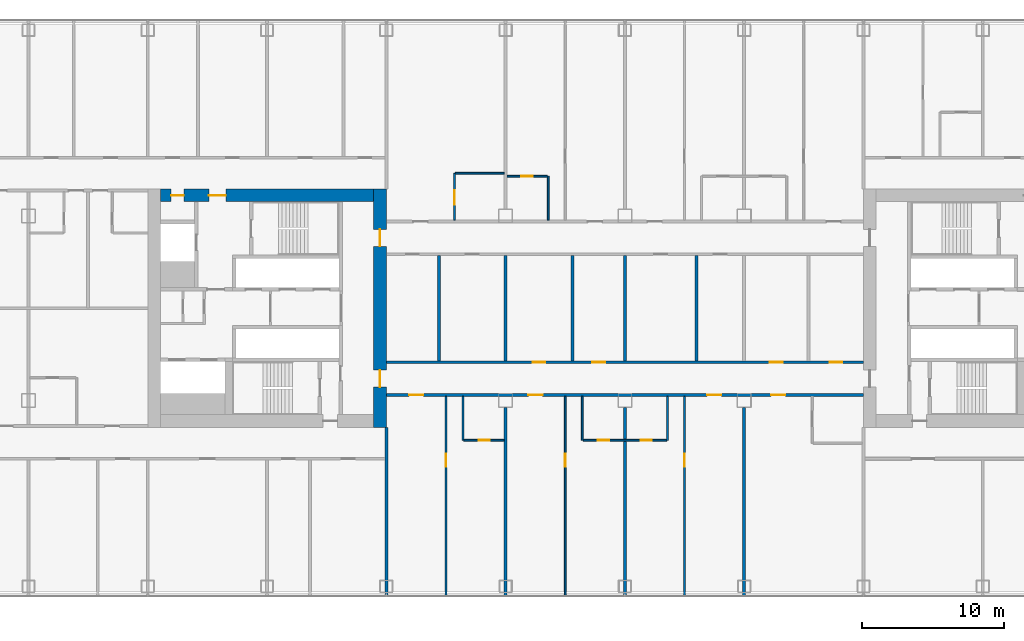
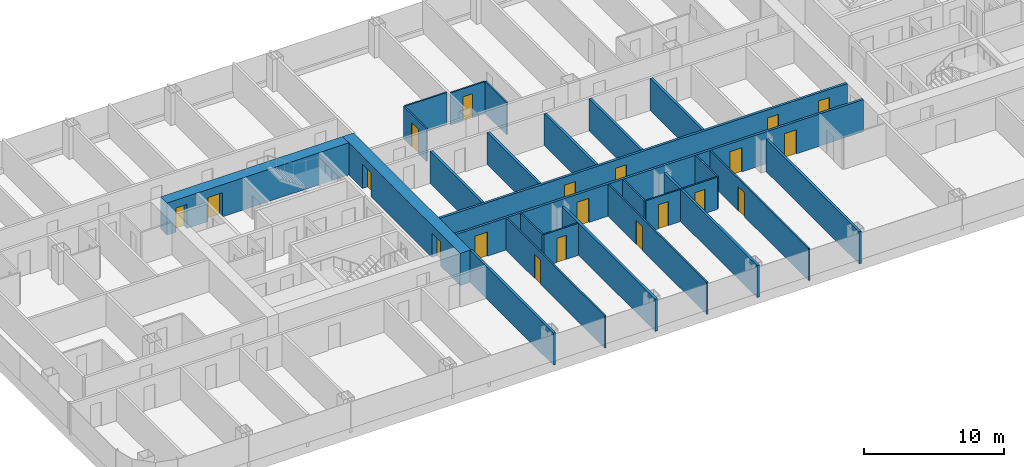
# One storey, part 15 of 28: 25 walls, 20 doors, 20 openings.
"""IFC4 building model written with IfcOpenShell, lengths in metres."""

from ifc_helpers import new_model, si_unit, direction, frame, frame_2d, origin, place, context, subcontext, project, spatial, rectangle, extrude, material, layer, layer_set, type_object, element, fill, save


model = new_model("IFC4")

# Units and contexts
model_context = context("Model", 3, precision=1e-05, world=origin(), true_north=direction((0.0, 1.0)))
body_context = subcontext(model_context, "Body", "Model", "MODEL_VIEW")
ifc_project = project(units=[si_unit("LENGTHUNIT", "METRE"), si_unit("AREAUNIT", "SQUARE_METRE"), si_unit("VOLUMEUNIT", "CUBIC_METRE"), si_unit("PLANEANGLEUNIT", "RADIAN"), si_unit("MASSUNIT", "GRAM", prefix="KILO")], contexts=[model_context])

# Site, building, storey
site_placement = place(None, origin())
site = spatial("IfcSite", under=ifc_project, at=site_placement, CompositionType="ELEMENT")
building_placement = place(site_placement, origin())
building = spatial("IfcBuilding", under=site, at=building_placement, Name="Hakoniwa Tower and Hamabe Station Hall", CompositionType="ELEMENT")
storey_placement = place(building_placement, frame((0.0, 0.0, 32.60009765625)))
storey = spatial("IfcBuildingStorey", under=building, at=storey_placement, Name="L08", CompositionType="ELEMENT", Elevation=32.60009765625)

# Wall, opening, door
ifc_material_1 = material(Name="Gypsum board partition", Category="gypsum")
ifc_layer_1 = layer(ifc_material_1, 0.125)
ifc_layer_set_1 = layer_set([ifc_layer_1], Name="Bathroom Partition 125")
wall_type_1 = type_object("IfcWallType", Name="Bathroom Partition 125", PredefinedType="PARTITIONING", material=ifc_layer_set_1)
wall_1_placement = place(storey_placement, frame((-11.33740234375, -9.300048828125, 0.0), z_axis=(0.0, 0.0, 1.0), x_axis=(1.0, 0.0, 0.0)))
wall_1 = element("IfcWall", 1, at=wall_1_placement, inside=storey, type_object=wall_type_1, Name="GW-L08-004", PredefinedType="PARTITIONING", context=body_context, shape_type="SweptSolid", body=[
    extrude(rectangle(XDim=2.83740234375, YDim=0.125, at=frame_2d((1.418701171875, 0.0))), origin(), (0.0, 0.0, 1.0), 2.7998046875),
])
opening_1_placement = place(wall_1_placement, frame((1.03759765625, 0.0, 0.0)))
opening_1 = element("IfcOpeningElement", 2, at=opening_1_placement, cuts=wall_1, Name="Opening GD-G1E0-12", PredefinedType="OPENING", context=body_context, shape_type="SweptSolid", body=[
    extrude(rectangle(XDim=0.800048828125, YDim=2.10009765625, at=frame_2d((0.39990234375, 1.050048828125))), frame((0.0, 0.072509765625, 0.0), z_axis=(0.0, -1.0, 0.0), x_axis=(1.0, 0.0, 0.0)), (0.0, 0.0, 1.0), 0.14501953125),
])
ifc_material_2 = material(Name="Timber door leaf", Category="wood")
door_type_1 = type_object("IfcDoorType", Name="Bathroom Door 800", OperationType="SINGLE_SWING_LEFT", PredefinedType="DOOR", material=ifc_material_2)
door_1_placement = place(opening_1_placement, origin())
door_1 = element("IfcDoor", 3, at=door_1_placement, inside=storey, type_object=door_type_1, Name="Door GD-G1E0-12", OperationType="SINGLE_SWING_RIGHT", OverallHeight=2.10009765625, OverallWidth=0.800048828125, PredefinedType="DOOR", context=body_context, shape_type="SweptSolid", body=[
    extrude(rectangle(XDim=0.800048828125, YDim=2.10009765625, at=frame_2d((0.39990234375, 1.050048828125))), frame((0.0, 0.02490234375, 0.0), z_axis=(0.0, -1.0, 0.0), x_axis=(1.0, 0.0, 0.0)), (0.0, 0.0, 1.0), 0.050048828125),
])
fill(opening_1, door_1)

# Wall, openings, doors
wall_2_placement = place(storey_placement, frame((-2.9375, -9.300048828125, 0.0), z_axis=(0.0, 0.0, 1.0), x_axis=(1.0, 0.0, 0.0)))
wall_2 = element("IfcWall", 4, at=wall_2_placement, inside=storey, type_object=wall_type_1, Name="GW-L08-005", PredefinedType="PARTITIONING", context=body_context, shape_type="SweptSolid", body=[
    extrude(rectangle(XDim=5.875, YDim=0.125, at=frame_2d((2.9375, 0.0))), origin(), (0.0, 0.0, 1.0), 2.7998046875),
])
opening_2_placement = place(wall_2_placement, frame((1.03759765625, 0.0, 0.0)))
opening_2 = element("IfcOpeningElement", 5, at=opening_2_placement, cuts=wall_2, Name="Opening GD-G1E0-13", PredefinedType="OPENING", context=body_context, shape_type="SweptSolid", body=[
    extrude(rectangle(XDim=0.800048828125, YDim=2.10009765625, at=frame_2d((0.39990234375, 1.050048828125))), frame((0.0, 0.072509765625, 0.0), z_axis=(0.0, -1.0, 0.0), x_axis=(1.0, 0.0, 0.0)), (0.0, 0.0, 1.0), 0.14501953125),
])
opening_3_placement = place(wall_2_placement, frame((4.03759765625, 0.0, 0.0)))
opening_3 = element("IfcOpeningElement", 6, at=opening_3_placement, cuts=wall_2, Name="Opening GD-G1E0-14", PredefinedType="OPENING", context=body_context, shape_type="SweptSolid", body=[
    extrude(rectangle(XDim=0.800048828125, YDim=2.10009765625, at=frame_2d((0.39990234375, 1.050048828125))), frame((0.0, 0.072509765625, 0.0), z_axis=(0.0, -1.0, 0.0), x_axis=(1.0, 0.0, 0.0)), (0.0, 0.0, 1.0), 0.14501953125),
])
door_2_placement = place(opening_2_placement, origin())
door_2 = element("IfcDoor", 7, at=door_2_placement, inside=storey, type_object=door_type_1, Name="Door GD-G1E0-13", OperationType="SINGLE_SWING_LEFT", OverallHeight=2.10009765625, OverallWidth=0.800048828125, PredefinedType="DOOR", context=body_context, shape_type="SweptSolid", body=[
    extrude(rectangle(XDim=0.800048828125, YDim=2.10009765625, at=frame_2d((0.39990234375, 1.050048828125))), frame((0.0, 0.02490234375, 0.0), z_axis=(0.0, -1.0, 0.0), x_axis=(1.0, 0.0, 0.0)), (0.0, 0.0, 1.0), 0.050048828125),
])
fill(opening_2, door_2)
door_3_placement = place(opening_3_placement, origin())
door_3 = element("IfcDoor", 8, at=door_3_placement, inside=storey, type_object=door_type_1, Name="Door GD-G1E0-14", OperationType="SINGLE_SWING_RIGHT", OverallHeight=2.10009765625, OverallWidth=0.800048828125, PredefinedType="DOOR", context=body_context, shape_type="SweptSolid", body=[
    extrude(rectangle(XDim=0.800048828125, YDim=2.10009765625, at=frame_2d((0.39990234375, 1.050048828125))), frame((0.0, 0.02490234375, 0.0), z_axis=(0.0, -1.0, 0.0), x_axis=(1.0, 0.0, 0.0)), (0.0, 0.0, 1.0), 0.050048828125),
])
fill(opening_3, door_3)

# Wall, opening, door
wall_3_placement = place(storey_placement, frame((-8.300048828125, 9.300048828125, 0.0), z_axis=(0.0, 0.0, 1.0), x_axis=(1.0, 0.0, 0.0)))
wall_3 = element("IfcWall", 9, at=wall_3_placement, inside=storey, type_object=wall_type_1, Name="GW-L08-027", PredefinedType="PARTITIONING", context=body_context, shape_type="SweptSolid", body=[
    extrude(rectangle(XDim=2.837646484375, YDim=0.125, at=frame_2d((1.4189453125, 0.0))), origin(), (0.0, 0.0, 1.0), 2.7998046875),
])
opening_4_placement = place(wall_3_placement, frame((1.0, 0.0, 0.0)))
opening_4 = element("IfcOpeningElement", 10, at=opening_4_placement, cuts=wall_3, Name="Opening GD-G1E0-46", PredefinedType="OPENING", context=body_context, shape_type="SweptSolid", body=[
    extrude(rectangle(XDim=0.800048828125, YDim=2.10009765625, at=frame_2d((0.39990234375, 1.050048828125))), frame((0.0, 0.072509765625, 0.0), z_axis=(0.0, -1.0, 0.0), x_axis=(1.0, 0.0, 0.0)), (0.0, 0.0, 1.0), 0.14501953125),
])
door_4_placement = place(opening_4_placement, origin())
door_4 = element("IfcDoor", 11, at=door_4_placement, inside=storey, type_object=door_type_1, Name="Door GD-G1E0-46", OperationType="SINGLE_SWING_RIGHT", OverallHeight=2.10009765625, OverallWidth=0.800048828125, PredefinedType="DOOR", context=body_context, shape_type="SweptSolid", body=[
    extrude(rectangle(XDim=0.800048828125, YDim=2.10009765625, at=frame_2d((0.39990234375, 1.050048828125))), frame((0.0, 0.02490234375, 0.0), z_axis=(0.0, -1.0, 0.0), x_axis=(1.0, 0.0, 0.0)), (0.0, 0.0, 1.0), 0.050048828125),
])
fill(opening_4, door_4)

# Wall
wall_4_placement = place(storey_placement, frame((-11.9375, 9.5, 0.0), z_axis=(0.0, 0.0, 1.0), x_axis=(1.0, 0.0, 0.0)))
element("IfcWall", 12, at=wall_4_placement, inside=storey, type_object=wall_type_1, Name="GW-L08-029", PredefinedType="PARTITIONING", context=body_context, shape_type="SweptSolid", body=[
    extrude(rectangle(XDim=3.4375, YDim=0.125, at=frame_2d((1.71875, 0.0))), origin(), (0.0, 0.0, 1.0), 2.7998046875),
])

# Wall, opening, door
wall_5_placement = place(storey_placement, frame((-12.0, 6.199951171875, 0.0), z_axis=(0.0, 0.0, 1.0), x_axis=(0.0, 1.0, 0.0)))
wall_5 = element("IfcWall", 13, at=wall_5_placement, inside=storey, type_object=wall_type_1, Name="GW-L08-060", PredefinedType="PARTITIONING", context=body_context, shape_type="SweptSolid", body=[
    extrude(rectangle(XDim=3.300048828125, YDim=0.125, at=frame_2d((1.64990234375, 0.0))), origin(), (0.0, 0.0, 1.0), 2.7998046875),
])
opening_5_placement = place(wall_5_placement, frame((1.10009765625, 0.0, 0.0)))
opening_5 = element("IfcOpeningElement", 14, at=opening_5_placement, cuts=wall_5, Name="Opening GD-G1E0-68", PredefinedType="OPENING", context=body_context, shape_type="SweptSolid", body=[
    extrude(rectangle(XDim=1.0, YDim=2.10009765625, at=frame_2d((0.5, 1.050048828125))), frame((0.0, 0.072509765625, 0.0), z_axis=(0.0, -1.0, 0.0), x_axis=(1.0, 0.0, 0.0)), (0.0, 0.0, 1.0), 0.14501953125),
])
ifc_material_3 = material(Name="Timber door leaf", Category="wood")
door_type_2 = type_object("IfcDoorType", Name="Accessible Bathroom Door 1000", OperationType="SINGLE_SWING_LEFT", PredefinedType="DOOR", material=ifc_material_3)
door_5_placement = place(opening_5_placement, origin())
door_5 = element("IfcDoor", 15, at=door_5_placement, inside=storey, type_object=door_type_2, Name="Door GD-G1E0-68", OperationType="SINGLE_SWING_RIGHT", OverallHeight=2.10009765625, OverallWidth=1.0, PredefinedType="DOOR", context=body_context, shape_type="SweptSolid", body=[
    extrude(rectangle(XDim=1.0, YDim=2.10009765625, at=frame_2d((0.5, 1.050048828125))), frame((0.0, 0.02490234375, 0.0), z_axis=(0.0, -1.0, 0.0), x_axis=(1.0, 0.0, 0.0)), (0.0, 0.0, 1.0), 0.050048828125),
])
fill(opening_5, door_5)

# Walls
for number, where, z_axis, x_axis, name in (
    (16, (-11.39990234375, -9.300048828125, 0.0), (0.0, 0.0, 1.0), (0.0, 1.0, 0.0), "GW-L08-061"),
    (17, (-5.39990234375, 6.199951171875, 0.0), (0.0, 0.0, 1.0), (0.0, 1.0, 0.0), "GW-L08-065"),
    (18, (-3.0, -9.300048828125, 0.0), (0.0, 0.0, 1.0), (0.0, 1.0, 0.0), "GW-L08-069"),
    (19, (3.0, -9.300048828125, 0.0), (0.0, 0.0, 1.0), (0.0, 1.0, 0.0), "GW-L08-073"),
):
    element("IfcWall", number, at=place(storey_placement, frame(where, z_axis=z_axis, x_axis=x_axis)), inside=storey, type_object=wall_type_1, Name=name, PredefinedType="PARTITIONING", context=body_context, shape_type="SweptSolid", body=[
        extrude(rectangle(XDim=3.10009765625, YDim=0.125, at=frame_2d((1.550048828125, 0.0))), origin(), (0.0, 0.0, 1.0), 2.7998046875),
    ])

# Wall, openings, doors
ifc_material_4 = material(Name="Concrete C80", Category="concrete")
ifc_layer_2 = layer(ifc_material_4, 0.89990234375)
ifc_layer_set_2 = layer_set([ifc_layer_2], Name="CORE WALL 900 C80")
wall_type_2 = type_object("IfcWallType", Name="CORE WALL 900 C80", PredefinedType="SHEAR", material=ifc_layer_set_2)
wall_6_placement = place(storey_placement, frame((-17.25, -8.39990234375, 0.0), z_axis=(0.0, 0.0, 1.0), x_axis=(0.0, 1.0, 0.0)))
wall_6 = element("IfcWall", 20, at=wall_6_placement, inside=storey, type_object=wall_type_2, Name="Core wall INNER west", PredefinedType="SHEAR", context=body_context, shape_type="SweptSolid", body=[
    extrude(rectangle(XDim=16.7998046875, YDim=0.89990234375, at=frame_2d((8.39990234375, 0.0))), origin(), (0.0, 0.0, 1.0), 2.7998046875),
])
opening_6_placement = place(wall_6_placement, frame((12.75, 0.0, 0.0)))
opening_6 = element("IfcOpeningElement", 21, at=opening_6_placement, cuts=wall_6, Name="Opening CD-W-IN1-12", PredefinedType="OPENING", context=body_context, shape_type="SweptSolid", body=[
    extrude(rectangle(XDim=1.199951171875, YDim=2.10009765625, at=frame_2d((0.60009765625, 1.050048828125))), frame((0.0, 0.4599609375, 0.0), z_axis=(0.0, -1.0, 0.0), x_axis=(1.0, 0.0, 0.0)), (0.0, 0.0, 1.0), 0.919921875),
])
opening_7_placement = place(wall_6_placement, frame((2.85009765625, 0.0, 0.0)))
opening_7 = element("IfcOpeningElement", 22, at=opening_7_placement, cuts=wall_6, Name="Opening CD-W-IN2-12", PredefinedType="OPENING", context=body_context, shape_type="SweptSolid", body=[
    extrude(rectangle(XDim=1.199951171875, YDim=2.10009765625, at=frame_2d((0.60009765625, 1.050048828125))), frame((0.0, 0.4599609375, 0.0), z_axis=(0.0, -1.0, 0.0), x_axis=(1.0, 0.0, 0.0)), (0.0, 0.0, 1.0), 0.919921875),
])
ifc_material_5 = material(Name="Steel fire door", Category="steel")
door_type_3 = type_object("IfcDoorType", Name="CORE DOOR 1200 FD60", OperationType="DOUBLE_DOOR_SINGLE_SWING", PredefinedType="DOOR", material=ifc_material_5)
door_6_placement = place(opening_6_placement, origin())
door_6 = element("IfcDoor", 23, at=door_6_placement, inside=storey, type_object=door_type_3, Name="Lift lobby door", OperationType="DOUBLE_DOOR_SINGLE_SWING", OverallHeight=2.10009765625, OverallWidth=1.199951171875, PredefinedType="DOOR", context=body_context, shape_type="SweptSolid", body=[
    extrude(rectangle(XDim=1.199951171875, YDim=2.10009765625, at=frame_2d((0.60009765625, 1.050048828125))), frame((0.0, 0.02490234375, 0.0), z_axis=(0.0, -1.0, 0.0), x_axis=(1.0, 0.0, 0.0)), (0.0, 0.0, 1.0), 0.050048828125),
])
fill(opening_6, door_6)
door_7_placement = place(opening_7_placement, origin())
door_7 = element("IfcDoor", 24, at=door_7_placement, inside=storey, type_object=door_type_3, Name="Lift lobby door", OperationType="DOUBLE_DOOR_SINGLE_SWING", OverallHeight=2.10009765625, OverallWidth=1.199951171875, PredefinedType="DOOR", context=body_context, shape_type="SweptSolid", body=[
    extrude(rectangle(XDim=1.199951171875, YDim=2.10009765625, at=frame_2d((0.60009765625, 1.050048828125))), frame((0.0, 0.02490234375, 0.0), z_axis=(0.0, -1.0, 0.0), x_axis=(1.0, 0.0, 0.0)), (0.0, 0.0, 1.0), 0.050048828125),
])
fill(opening_7, door_7)

wall_7_placement = place(storey_placement, frame((-32.699951171875, 7.949951171875, 0.0), z_axis=(0.0, 0.0, 1.0), x_axis=(1.0, 0.0, 0.0)))
wall_7 = element("IfcWall", 25, at=wall_7_placement, inside=storey, type_object=wall_type_2, Name="Core wall NORTH west", PredefinedType="SHEAR", context=body_context, shape_type="SweptSolid", body=[
    extrude(rectangle(XDim=15.0, YDim=0.89990234375, at=frame_2d((7.5, 0.0))), origin(), (0.0, 0.0, 1.0), 2.7998046875),
])
opening_8_placement = place(wall_7_placement, frame((3.39990234375, 0.0, 0.0)))
opening_8 = element("IfcOpeningElement", 26, at=opening_8_placement, cuts=wall_7, Name="Opening CD-W-FN1-12", PredefinedType="OPENING", context=body_context, shape_type="SweptSolid", body=[
    extrude(rectangle(XDim=1.199951171875, YDim=2.10009765625, at=frame_2d((0.60009765625, 1.050048828125))), frame((0.0, 0.4599609375, 0.0), z_axis=(0.0, -1.0, 0.0), x_axis=(1.0, 0.0, 0.0)), (0.0, 0.0, 1.0), 0.919921875),
])
opening_9_placement = place(wall_7_placement, frame((0.75, 0.0, 0.0)))
opening_9 = element("IfcOpeningElement", 27, at=opening_9_placement, cuts=wall_7, Name="Opening CD-W-FN2-9", PredefinedType="OPENING", context=body_context, shape_type="SweptSolid", body=[
    extrude(rectangle(XDim=0.89990234375, YDim=2.10009765625, at=frame_2d((0.449951171875, 1.050048828125))), frame((0.0, 0.4599609375, 0.0), z_axis=(0.0, -1.0, 0.0), x_axis=(1.0, 0.0, 0.0)), (0.0, 0.0, 1.0), 0.919921875),
])
door_8_placement = place(opening_8_placement, origin())
door_8 = element("IfcDoor", 28, at=door_8_placement, inside=storey, type_object=door_type_3, Name="Stair vestibule door to the fire-fighting lobby", OperationType="DOUBLE_DOOR_SINGLE_SWING", OverallHeight=2.10009765625, OverallWidth=1.199951171875, PredefinedType="DOOR", context=body_context, shape_type="SweptSolid", body=[
    extrude(rectangle(XDim=1.199951171875, YDim=2.10009765625, at=frame_2d((0.60009765625, 1.050048828125))), frame((0.0, 0.02490234375, 0.0), z_axis=(0.0, -1.0, 0.0), x_axis=(1.0, 0.0, 0.0)), (0.0, 0.0, 1.0), 0.050048828125),
])
fill(opening_8, door_8)
ifc_material_6 = material(Name="Steel fire door", Category="steel")
door_type_4 = type_object("IfcDoorType", Name="CORE DOOR 900 FD30", OperationType="NOTDEFINED", PredefinedType="DOOR", material=ifc_material_6)
door_9_placement = place(opening_9_placement, origin())
door_9 = element("IfcDoor", 29, at=door_9_placement, inside=storey, type_object=door_type_4, Name="Riser access door", OperationType="SINGLE_SWING_LEFT", OverallHeight=2.10009765625, OverallWidth=0.89990234375, PredefinedType="DOOR", context=body_context, shape_type="SweptSolid", body=[
    extrude(rectangle(XDim=0.89990234375, YDim=2.10009765625, at=frame_2d((0.449951171875, 1.050048828125))), frame((0.0, 0.02490234375, 0.0), z_axis=(0.0, -1.0, 0.0), x_axis=(1.0, 0.0, 0.0)), (0.0, 0.0, 1.0), 0.050048828125),
])
fill(opening_9, door_9)

ifc_material_7 = material(Name="Fire-rated gypsum board partition", Category="gypsum")
ifc_layer_3 = layer(ifc_material_7, 0.199951171875)
ifc_layer_set_3 = layer_set([ifc_layer_3], Name="Corridor Wall 200")
wall_type_3 = type_object("IfcWallType", Name="Corridor Wall 200", PredefinedType="PARTITIONING", material=ifc_layer_set_3)
wall_8_placement = place(storey_placement, frame((-16.800048828125, -6.10009765625, 0.0), z_axis=(0.0, 0.0, 1.0), x_axis=(1.0, 0.0, 0.0)))
wall_8 = element("IfcWall", 30, at=wall_8_placement, inside=storey, type_object=wall_type_3, Name="GW-L08-008", PredefinedType="PARTITIONING", context=body_context, shape_type="SweptSolid", body=[
    extrude(rectangle(XDim=33.60009765625, YDim=0.199951171875, at=frame_2d((16.800048828125, 0.0))), origin(), (0.0, 0.0, 1.0), 2.7998046875),
])
opening_10_placement = place(wall_8_placement, frame((1.60009765625, 0.0, 0.0)))
opening_10 = element("IfcOpeningElement", 31, at=opening_10_placement, cuts=wall_8, Name="Opening GD-G1E0-20", PredefinedType="OPENING", context=body_context, shape_type="SweptSolid", body=[
    extrude(rectangle(XDim=1.0, YDim=2.10009765625, at=frame_2d((0.5, 1.050048828125))), frame((0.0, 0.10986328125, 0.0), z_axis=(0.0, -1.0, 0.0), x_axis=(1.0, 0.0, 0.0)), (0.0, 0.0, 1.0), 0.219970703125),
])
opening_11_placement = place(wall_8_placement, frame((10.0, 0.0, 0.0)))
opening_11 = element("IfcOpeningElement", 32, at=opening_11_placement, cuts=wall_8, Name="Opening GD-G1E0-21", PredefinedType="OPENING", context=body_context, shape_type="SweptSolid", body=[
    extrude(rectangle(XDim=1.0, YDim=2.10009765625, at=frame_2d((0.5, 1.050048828125))), frame((0.0, 0.10986328125, 0.0), z_axis=(0.0, -1.0, 0.0), x_axis=(1.0, 0.0, 0.0)), (0.0, 0.0, 1.0), 0.219970703125),
])
opening_12_placement = place(wall_8_placement, frame((22.60009765625, 0.0, 0.0)))
opening_12 = element("IfcOpeningElement", 33, at=opening_12_placement, cuts=wall_8, Name="Opening GD-G1E0-22", PredefinedType="OPENING", context=body_context, shape_type="SweptSolid", body=[
    extrude(rectangle(XDim=1.0, YDim=2.10009765625, at=frame_2d((0.5, 1.050048828125))), frame((0.0, 0.10986328125, 0.0), z_axis=(0.0, -1.0, 0.0), x_axis=(1.0, 0.0, 0.0)), (0.0, 0.0, 1.0), 0.219970703125),
])
opening_13_placement = place(wall_8_placement, frame((27.10009765625, 0.0, 0.0)))
opening_13 = element("IfcOpeningElement", 34, at=opening_13_placement, cuts=wall_8, Name="Opening GD-G1E0-23", PredefinedType="OPENING", context=body_context, shape_type="SweptSolid", body=[
    extrude(rectangle(XDim=1.0, YDim=2.10009765625, at=frame_2d((0.5, 1.050048828125))), frame((0.0, 0.10986328125, 0.0), z_axis=(0.0, -1.0, 0.0), x_axis=(1.0, 0.0, 0.0)), (0.0, 0.0, 1.0), 0.219970703125),
])
ifc_material_8 = material(Name="Timber door leaf", Category="wood")
door_type_5 = type_object("IfcDoorType", Name="Accessible Guest Entrance Door 1000", OperationType="SINGLE_SWING_LEFT", PredefinedType="DOOR", material=ifc_material_8)
door_10_placement = place(opening_13_placement, origin())
door_10 = element("IfcDoor", 35, at=door_10_placement, inside=storey, type_object=door_type_5, Name="Door GD-G1E0-23", OperationType="SINGLE_SWING_LEFT", OverallHeight=2.10009765625, OverallWidth=1.0, PredefinedType="DOOR", context=body_context, shape_type="SweptSolid", body=[
    extrude(rectangle(XDim=1.0, YDim=2.10009765625, at=frame_2d((0.5, 1.050048828125))), frame((0.0, 0.02490234375, 0.0), z_axis=(0.0, -1.0, 0.0), x_axis=(1.0, 0.0, 0.0)), (0.0, 0.0, 1.0), 0.050048828125),
])
fill(opening_13, door_10)
ifc_material_9 = material(Name="Timber door leaf", Category="wood")
door_type_6 = type_object("IfcDoorType", Name="Guest Entrance Door 1000", OperationType="SINGLE_SWING_LEFT", PredefinedType="DOOR", material=ifc_material_9)
door_11_placement = place(opening_10_placement, origin())
door_11 = element("IfcDoor", 36, at=door_11_placement, inside=storey, type_object=door_type_6, Name="Door GD-G1E0-20", OperationType="SINGLE_SWING_RIGHT", OverallHeight=2.10009765625, OverallWidth=1.0, PredefinedType="DOOR", context=body_context, shape_type="SweptSolid", body=[
    extrude(rectangle(XDim=1.0, YDim=2.10009765625, at=frame_2d((0.5, 1.050048828125))), frame((0.0, 0.02490234375, 0.0), z_axis=(0.0, -1.0, 0.0), x_axis=(1.0, 0.0, 0.0)), (0.0, 0.0, 1.0), 0.050048828125),
])
fill(opening_10, door_11)
door_12_placement = place(opening_11_placement, origin())
door_12 = element("IfcDoor", 37, at=door_12_placement, inside=storey, type_object=door_type_6, Name="Door GD-G1E0-21", OperationType="SINGLE_SWING_RIGHT", OverallHeight=2.10009765625, OverallWidth=1.0, PredefinedType="DOOR", context=body_context, shape_type="SweptSolid", body=[
    extrude(rectangle(XDim=1.0, YDim=2.10009765625, at=frame_2d((0.5, 1.050048828125))), frame((0.0, 0.02490234375, 0.0), z_axis=(0.0, -1.0, 0.0), x_axis=(1.0, 0.0, 0.0)), (0.0, 0.0, 1.0), 0.050048828125),
])
fill(opening_11, door_12)
door_13_placement = place(opening_12_placement, origin())
door_13 = element("IfcDoor", 38, at=door_13_placement, inside=storey, type_object=door_type_6, Name="Door GD-G1E0-22", OperationType="SINGLE_SWING_LEFT", OverallHeight=2.10009765625, OverallWidth=1.0, PredefinedType="DOOR", context=body_context, shape_type="SweptSolid", body=[
    extrude(rectangle(XDim=1.0, YDim=2.10009765625, at=frame_2d((0.5, 1.050048828125))), frame((0.0, 0.02490234375, 0.0), z_axis=(0.0, -1.0, 0.0), x_axis=(1.0, 0.0, 0.0)), (0.0, 0.0, 1.0), 0.050048828125),
])
fill(opening_12, door_13)

wall_9_placement = place(storey_placement, frame((-16.800048828125, -3.800048828125, 0.0), z_axis=(0.0, 0.0, 1.0), x_axis=(1.0, 0.0, 0.0)))
wall_9 = element("IfcWall", 39, at=wall_9_placement, inside=storey, type_object=wall_type_3, Name="GW-L08-014", PredefinedType="PARTITIONING", context=body_context, shape_type="SweptSolid", body=[
    extrude(rectangle(XDim=33.60009765625, YDim=0.199951171875, at=frame_2d((16.800048828125, 0.0))), origin(), (0.0, 0.0, 1.0), 2.7998046875),
])
opening_14_placement = place(wall_9_placement, frame((10.300048828125, 0.0, 0.0)))
opening_14 = element("IfcOpeningElement", 40, at=opening_14_placement, cuts=wall_9, Name="Opening GD-G1E0-27", PredefinedType="OPENING", context=body_context, shape_type="SweptSolid", body=[
    extrude(rectangle(XDim=0.89990234375, YDim=2.10009765625, at=frame_2d((0.449951171875, 1.050048828125))), frame((0.0, 0.10986328125, 0.0), z_axis=(0.0, -1.0, 0.0), x_axis=(1.0, 0.0, 0.0)), (0.0, 0.0, 1.0), 0.219970703125),
])
opening_15_placement = place(wall_9_placement, frame((14.5, 0.0, 0.0)))
opening_15 = element("IfcOpeningElement", 41, at=opening_15_placement, cuts=wall_9, Name="Opening GD-G1E0-28", PredefinedType="OPENING", context=body_context, shape_type="SweptSolid", body=[
    extrude(rectangle(XDim=0.89990234375, YDim=2.10009765625, at=frame_2d((0.449951171875, 1.050048828125))), frame((0.0, 0.10986328125, 0.0), z_axis=(0.0, -1.0, 0.0), x_axis=(1.0, 0.0, 0.0)), (0.0, 0.0, 1.0), 0.219970703125),
])
opening_16_placement = place(wall_9_placement, frame((27.02001953125, 0.0, 0.0)))
opening_16 = element("IfcOpeningElement", 42, at=opening_16_placement, cuts=wall_9, Name="Opening GD-G1E0-29", PredefinedType="OPENING", context=body_context, shape_type="SweptSolid", body=[
    extrude(rectangle(XDim=0.89990234375, YDim=2.10009765625, at=frame_2d((0.449951171875, 1.050048828125))), frame((0.0, 0.10986328125, 0.0), z_axis=(0.0, -1.0, 0.0), x_axis=(1.0, 0.0, 0.0)), (0.0, 0.0, 1.0), 0.219970703125),
])
opening_17_placement = place(wall_9_placement, frame((31.219970703125, 0.0, 0.0)))
opening_17 = element("IfcOpeningElement", 43, at=opening_17_placement, cuts=wall_9, Name="Opening GD-G1E0-30", PredefinedType="OPENING", context=body_context, shape_type="SweptSolid", body=[
    extrude(rectangle(XDim=0.89990234375, YDim=2.10009765625, at=frame_2d((0.449951171875, 1.050048828125))), frame((0.0, 0.10986328125, 0.0), z_axis=(0.0, -1.0, 0.0), x_axis=(1.0, 0.0, 0.0)), (0.0, 0.0, 1.0), 0.219970703125),
])
ifc_material_10 = material(Name="Timber door leaf", Category="wood")
door_type_7 = type_object("IfcDoorType", Name="Service Door 900", OperationType="SINGLE_SWING_LEFT", PredefinedType="DOOR", material=ifc_material_10)
door_14_placement = place(opening_14_placement, origin())
door_14 = element("IfcDoor", 44, at=door_14_placement, inside=storey, type_object=door_type_7, Name="Door GD-G1E0-27", OperationType="SINGLE_SWING_RIGHT", OverallHeight=2.10009765625, OverallWidth=0.89990234375, PredefinedType="DOOR", context=body_context, shape_type="SweptSolid", body=[
    extrude(rectangle(XDim=0.89990234375, YDim=2.10009765625, at=frame_2d((0.449951171875, 1.050048828125))), frame((0.0, 0.02490234375, 0.0), z_axis=(0.0, -1.0, 0.0), x_axis=(1.0, 0.0, 0.0)), (0.0, 0.0, 1.0), 0.050048828125),
])
fill(opening_14, door_14)
door_15_placement = place(opening_15_placement, origin())
door_15 = element("IfcDoor", 45, at=door_15_placement, inside=storey, type_object=door_type_7, Name="Door GD-G1E0-28", OperationType="SINGLE_SWING_LEFT", OverallHeight=2.10009765625, OverallWidth=0.89990234375, PredefinedType="DOOR", context=body_context, shape_type="SweptSolid", body=[
    extrude(rectangle(XDim=0.89990234375, YDim=2.10009765625, at=frame_2d((0.449951171875, 1.050048828125))), frame((0.0, 0.02490234375, 0.0), z_axis=(0.0, -1.0, 0.0), x_axis=(1.0, 0.0, 0.0)), (0.0, 0.0, 1.0), 0.050048828125),
])
fill(opening_15, door_15)
door_16_placement = place(opening_16_placement, origin())
door_16 = element("IfcDoor", 46, at=door_16_placement, inside=storey, type_object=door_type_7, Name="Door GD-G1E0-29", OperationType="SINGLE_SWING_RIGHT", OverallHeight=2.10009765625, OverallWidth=0.89990234375, PredefinedType="DOOR", context=body_context, shape_type="SweptSolid", body=[
    extrude(rectangle(XDim=0.89990234375, YDim=2.10009765625, at=frame_2d((0.449951171875, 1.050048828125))), frame((0.0, 0.02490234375, 0.0), z_axis=(0.0, -1.0, 0.0), x_axis=(1.0, 0.0, 0.0)), (0.0, 0.0, 1.0), 0.050048828125),
])
fill(opening_16, door_16)
door_17_placement = place(opening_17_placement, origin())
door_17 = element("IfcDoor", 47, at=door_17_placement, inside=storey, type_object=door_type_7, Name="Door GD-G1E0-30", OperationType="SINGLE_SWING_RIGHT", OverallHeight=2.10009765625, OverallWidth=0.89990234375, PredefinedType="DOOR", context=body_context, shape_type="SweptSolid", body=[
    extrude(rectangle(XDim=0.89990234375, YDim=2.10009765625, at=frame_2d((0.449951171875, 1.050048828125))), frame((0.0, 0.02490234375, 0.0), z_axis=(0.0, -1.0, 0.0), x_axis=(1.0, 0.0, 0.0)), (0.0, 0.0, 1.0), 0.050048828125),
])
fill(opening_17, door_17)

# Walls
ifc_material_11 = material(Name="Fire-rated gypsum board partition", Category="gypsum")
ifc_layer_4 = layer(ifc_material_11, 0.199951171875)
ifc_layer_set_4 = layer_set([ifc_layer_4], Name="Party Wall 200")
wall_type_4 = type_object("IfcWallType", Name="Party Wall 200", PredefinedType="PARTITIONING", material=ifc_layer_set_4)
wall_10_placement = place(storey_placement, frame((-16.800048828125, -20.300048828125, 0.0), z_axis=(0.0, 0.0, 1.0), x_axis=(0.0, 1.0, 0.0)))
element("IfcWall", 48, at=wall_10_placement, inside=storey, type_object=wall_type_4, Name="GW-L08-056", PredefinedType="PARTITIONING", context=body_context, shape_type="SweptSolid", body=[
    extrude(rectangle(XDim=11.91015625, YDim=0.199951171875, at=frame_2d((5.955078125, 0.0))), origin(), (0.0, 0.0, 1.0), 2.7998046875),
])
wall_11_placement = place(storey_placement, frame((-13.10009765625, -3.699951171875, 0.0), z_axis=(0.0, 0.0, 1.0), x_axis=(0.0, 1.0, 0.0)))
element("IfcWall", 49, at=wall_11_placement, inside=storey, type_object=wall_type_4, Name="GW-L08-058", PredefinedType="PARTITIONING", context=body_context, shape_type="SweptSolid", body=[
    extrude(rectangle(XDim=7.39990234375, YDim=0.199951171875, at=frame_2d((3.699951171875, 0.0))), origin(), (0.0, 0.0, 1.0), 2.7998046875),
])
wall_12_placement = place(storey_placement, frame((-8.39990234375, -20.300048828125, 0.0), z_axis=(0.0, 0.0, 1.0), x_axis=(0.0, 1.0, 0.0)))
element("IfcWall", 50, at=wall_12_placement, inside=storey, type_object=wall_type_4, Name="GW-L08-062", PredefinedType="PARTITIONING", context=body_context, shape_type="SweptSolid", body=[
    extrude(rectangle(XDim=13.31005859375, YDim=0.199951171875, at=frame_2d((6.655029296875, 0.0))), origin(), (0.0, 0.0, 1.0), 2.7998046875),
])
for number, where, z_axis, x_axis, name in (
    (51, (-8.39990234375, -3.699951171875, 0.0), (0.0, 0.0, 1.0), (0.0, 1.0, 0.0), "GW-L08-063"),
    (52, (-3.699951171875, -3.699951171875, 0.0), (0.0, 0.0, 1.0), (0.0, 1.0, 0.0), "GW-L08-068"),
):
    element("IfcWall", number, at=place(storey_placement, frame(where, z_axis=z_axis, x_axis=x_axis)), inside=storey, type_object=wall_type_4, Name=name, PredefinedType="PARTITIONING", context=body_context, shape_type="SweptSolid", body=[
        extrude(rectangle(XDim=7.39990234375, YDim=0.199951171875, at=frame_2d((3.699951171875, 0.0))), origin(), (0.0, 0.0, 1.0), 2.7998046875),
    ])
wall_13_placement = place(storey_placement, frame((0.0, -20.300048828125, 0.0), z_axis=(0.0, 0.0, 1.0), x_axis=(0.0, 1.0, 0.0)))
element("IfcWall", 53, at=wall_13_placement, inside=storey, type_object=wall_type_4, Name="GW-L08-070", PredefinedType="PARTITIONING", context=body_context, shape_type="SweptSolid", body=[
    extrude(rectangle(XDim=13.31005859375, YDim=0.199951171875, at=frame_2d((6.655029296875, 0.0))), origin(), (0.0, 0.0, 1.0), 2.7998046875),
])
for number, where, z_axis, x_axis, name in (
    (54, (0.0, -3.699951171875, 0.0), (0.0, 0.0, 1.0), (0.0, 1.0, 0.0), "GW-L08-071"),
    (55, (5.0400390625, -3.699951171875, 0.0), (0.0, 0.0, 1.0), (0.0, 1.0, 0.0), "GW-L08-076"),
):
    element("IfcWall", number, at=place(storey_placement, frame(where, z_axis=z_axis, x_axis=x_axis)), inside=storey, type_object=wall_type_4, Name=name, PredefinedType="PARTITIONING", context=body_context, shape_type="SweptSolid", body=[
        extrude(rectangle(XDim=7.39990234375, YDim=0.199951171875, at=frame_2d((3.699951171875, 0.0))), origin(), (0.0, 0.0, 1.0), 2.7998046875),
    ])
wall_14_placement = place(storey_placement, frame((8.39990234375, -20.300048828125, 0.0), z_axis=(0.0, 0.0, 1.0), x_axis=(0.0, 1.0, 0.0)))
element("IfcWall", 56, at=wall_14_placement, inside=storey, type_object=wall_type_4, Name="GW-L08-078", PredefinedType="PARTITIONING", context=body_context, shape_type="SweptSolid", body=[
    extrude(rectangle(XDim=13.31005859375, YDim=0.199951171875, at=frame_2d((6.655029296875, 0.0))), origin(), (0.0, 0.0, 1.0), 2.7998046875),
])

# Wall, opening, door
ifc_material_12 = material(Name="Gypsum board partition", Category="gypsum")
ifc_layer_5 = layer(ifc_material_12, 0.125)
ifc_layer_set_5 = layer_set([ifc_layer_5], Name="Room Partition 125")
wall_type_5 = type_object("IfcWallType", Name="Room Partition 125", PredefinedType="PARTITIONING", material=ifc_layer_set_5)
wall_15_placement = place(storey_placement, frame((-12.60009765625, -20.300048828125, 0.0), z_axis=(0.0, 0.0, 1.0), x_axis=(0.0, 1.0, 0.0)))
wall_15 = element("IfcWall", 57, at=wall_15_placement, inside=storey, type_object=wall_type_5, Name="GW-L08-059", PredefinedType="PARTITIONING", context=body_context, shape_type="SweptSolid", body=[
    extrude(rectangle(XDim=14.10009765625, YDim=0.125, at=frame_2d((7.050048828125, 0.0))), origin(), (0.0, 0.0, 1.0), 2.7998046875),
])
opening_18_placement = place(wall_15_placement, frame((9.14990234375, 0.0, 0.0)))
opening_18 = element("IfcOpeningElement", 58, at=opening_18_placement, cuts=wall_15, Name="Opening GD-G1E0-67", PredefinedType="OPENING", context=body_context, shape_type="SweptSolid", body=[
    extrude(rectangle(XDim=0.89990234375, YDim=2.10009765625, at=frame_2d((0.449951171875, 1.050048828125))), frame((0.0, 0.072509765625, 0.0), z_axis=(0.0, -1.0, 0.0), x_axis=(1.0, 0.0, 0.0)), (0.0, 0.0, 1.0), 0.14501953125),
])
ifc_material_13 = material(Name="Timber door leaf", Category="wood")
door_type_8 = type_object("IfcDoorType", Name="Suite Interior Door 900", OperationType="SINGLE_SWING_LEFT", PredefinedType="DOOR", material=ifc_material_13)
door_18_placement = place(opening_18_placement, origin())
door_18 = element("IfcDoor", 59, at=door_18_placement, inside=storey, type_object=door_type_8, Name="Door GD-G1E0-67", OperationType="SINGLE_SWING_LEFT", OverallHeight=2.10009765625, OverallWidth=0.89990234375, PredefinedType="DOOR", context=body_context, shape_type="SweptSolid", body=[
    extrude(rectangle(XDim=0.89990234375, YDim=2.10009765625, at=frame_2d((0.449951171875, 1.050048828125))), frame((0.0, 0.02490234375, 0.0), z_axis=(0.0, -1.0, 0.0), x_axis=(1.0, 0.0, 0.0)), (0.0, 0.0, 1.0), 0.050048828125),
])
fill(opening_18, door_18)

wall_16_placement = place(storey_placement, frame((-4.199951171875, -20.300048828125, 0.0), z_axis=(0.0, 0.0, 1.0), x_axis=(0.0, 1.0, 0.0)))
wall_16 = element("IfcWall", 60, at=wall_16_placement, inside=storey, type_object=wall_type_5, Name="GW-L08-066", PredefinedType="PARTITIONING", context=body_context, shape_type="SweptSolid", body=[
    extrude(rectangle(XDim=14.10009765625, YDim=0.125, at=frame_2d((7.050048828125, 0.0))), origin(), (0.0, 0.0, 1.0), 2.7998046875),
])
opening_19_placement = place(wall_16_placement, frame((9.14990234375, 0.0, 0.0)))
opening_19 = element("IfcOpeningElement", 61, at=opening_19_placement, cuts=wall_16, Name="Opening GD-G1E0-69", PredefinedType="OPENING", context=body_context, shape_type="SweptSolid", body=[
    extrude(rectangle(XDim=0.89990234375, YDim=2.10009765625, at=frame_2d((0.449951171875, 1.050048828125))), frame((0.0, 0.072509765625, 0.0), z_axis=(0.0, -1.0, 0.0), x_axis=(1.0, 0.0, 0.0)), (0.0, 0.0, 1.0), 0.14501953125),
])
door_19_placement = place(opening_19_placement, origin())
door_19 = element("IfcDoor", 62, at=door_19_placement, inside=storey, type_object=door_type_8, Name="Door GD-G1E0-69", OperationType="SINGLE_SWING_LEFT", OverallHeight=2.10009765625, OverallWidth=0.89990234375, PredefinedType="DOOR", context=body_context, shape_type="SweptSolid", body=[
    extrude(rectangle(XDim=0.89990234375, YDim=2.10009765625, at=frame_2d((0.449951171875, 1.050048828125))), frame((0.0, 0.02490234375, 0.0), z_axis=(0.0, -1.0, 0.0), x_axis=(1.0, 0.0, 0.0)), (0.0, 0.0, 1.0), 0.050048828125),
])
fill(opening_19, door_19)

wall_17_placement = place(storey_placement, frame((4.199951171875, -20.300048828125, 0.0), z_axis=(0.0, 0.0, 1.0), x_axis=(0.0, 1.0, 0.0)))
wall_17 = element("IfcWall", 63, at=wall_17_placement, inside=storey, type_object=wall_type_5, Name="GW-L08-074", PredefinedType="PARTITIONING", context=body_context, shape_type="SweptSolid", body=[
    extrude(rectangle(XDim=14.10009765625, YDim=0.125, at=frame_2d((7.050048828125, 0.0))), origin(), (0.0, 0.0, 1.0), 2.7998046875),
])
opening_20_placement = place(wall_17_placement, frame((9.14990234375, 0.0, 0.0)))
opening_20 = element("IfcOpeningElement", 64, at=opening_20_placement, cuts=wall_17, Name="Opening GD-G1E0-71", PredefinedType="OPENING", context=body_context, shape_type="SweptSolid", body=[
    extrude(rectangle(XDim=0.89990234375, YDim=2.10009765625, at=frame_2d((0.449951171875, 1.050048828125))), frame((0.0, 0.072509765625, 0.0), z_axis=(0.0, -1.0, 0.0), x_axis=(1.0, 0.0, 0.0)), (0.0, 0.0, 1.0), 0.14501953125),
])
door_20_placement = place(opening_20_placement, origin())
door_20 = element("IfcDoor", 65, at=door_20_placement, inside=storey, type_object=door_type_8, Name="Door GD-G1E0-71", OperationType="SINGLE_SWING_LEFT", OverallHeight=2.10009765625, OverallWidth=0.89990234375, PredefinedType="DOOR", context=body_context, shape_type="SweptSolid", body=[
    extrude(rectangle(XDim=0.89990234375, YDim=2.10009765625, at=frame_2d((0.449951171875, 1.050048828125))), frame((0.0, 0.02490234375, 0.0), z_axis=(0.0, -1.0, 0.0), x_axis=(1.0, 0.0, 0.0)), (0.0, 0.0, 1.0), 0.050048828125),
])
fill(opening_20, door_20)

save(model, "model.ifc")
